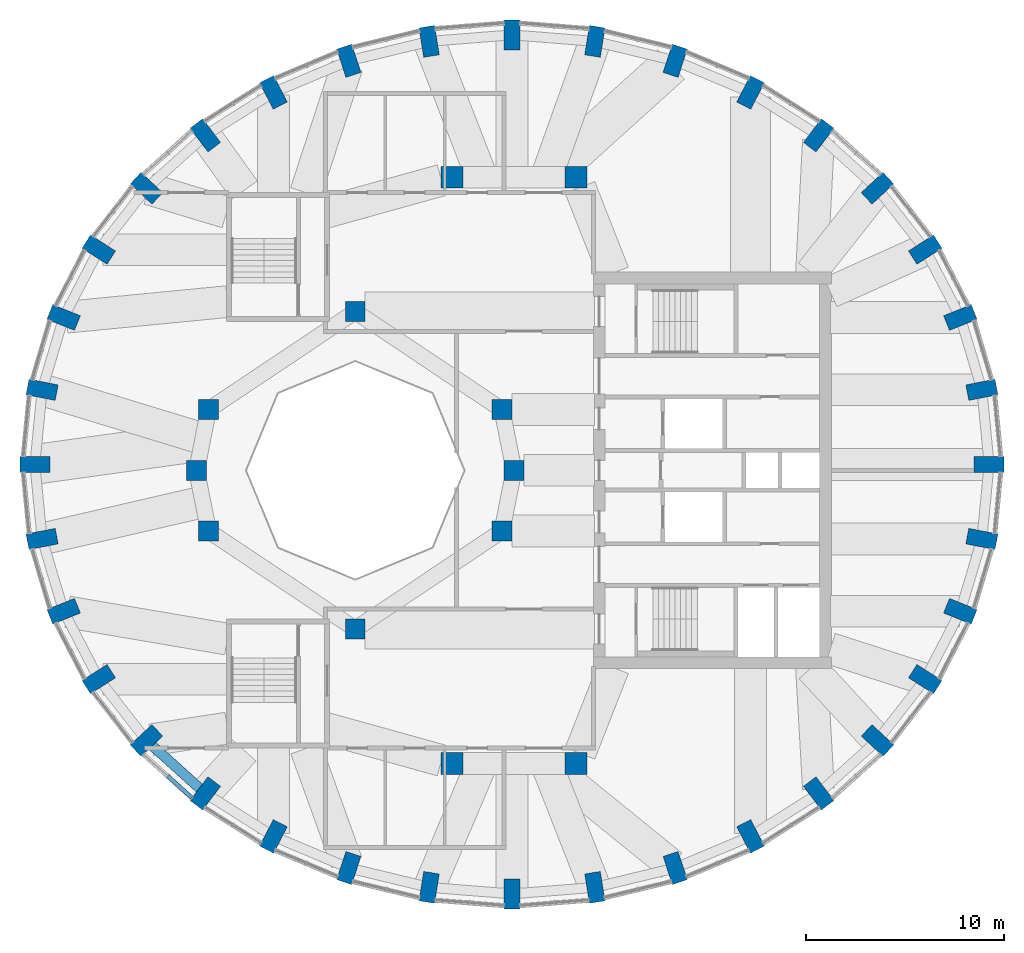
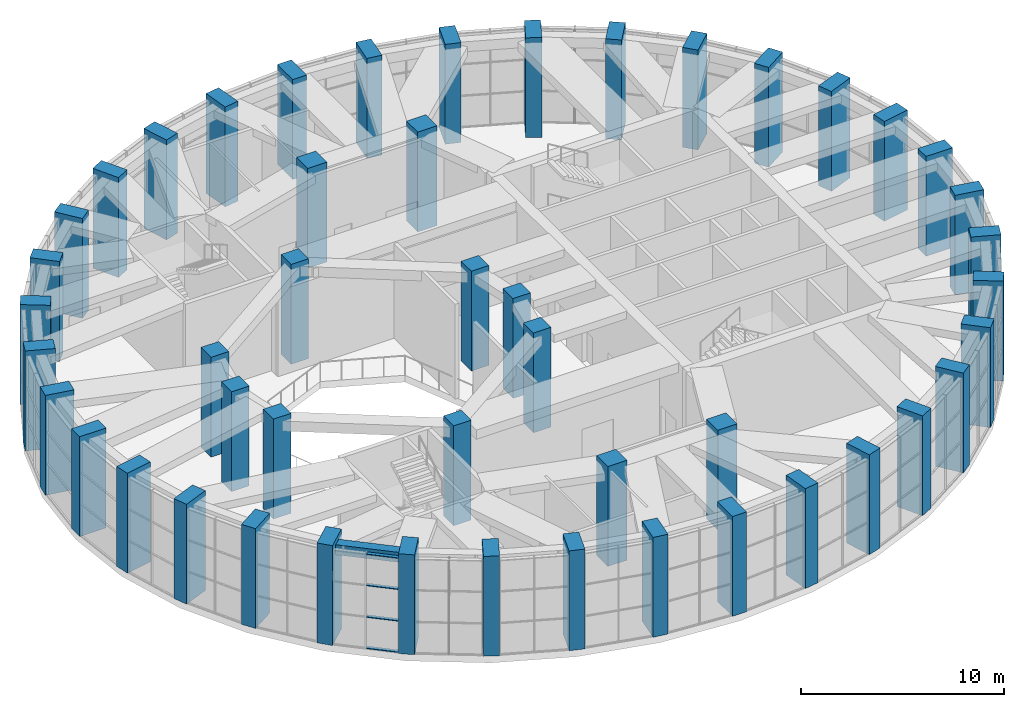
# One storey, part 1 of 20: 48 columns, 4 members, 1 beam, 1 element without a shape of its own.
"""IFC4 building model written with IfcOpenShell, lengths in metres."""

from ifc_helpers import new_model, si_unit, direction, frame, origin, origin_2d, place, context, subcontext, project, spatial, rectangle, extrude, material, material_profile, profile_set, type_object, element, aggregate, save


model = new_model("IFC4")

# Units and contexts
model_context = context("Model", 3, precision=1e-05, world=origin(), true_north=direction((0.0, 1.0)))
body_context = subcontext(model_context, "Body", "Model", "MODEL_VIEW")
ifc_project = project(units=[si_unit("LENGTHUNIT", "METRE"), si_unit("AREAUNIT", "SQUARE_METRE"), si_unit("VOLUMEUNIT", "CUBIC_METRE"), si_unit("PLANEANGLEUNIT", "RADIAN"), si_unit("MASSUNIT", "GRAM", prefix="KILO")], contexts=[model_context])

# Site, building, storey
site_placement = place(None, origin())
site = spatial("IfcSite", under=ifc_project, at=site_placement, CompositionType="ELEMENT")
building_placement = place(site_placement, origin())
building = spatial("IfcBuilding", under=site, at=building_placement, Name="Taillehof Tower", CompositionType="ELEMENT")
storey_placement = place(building_placement, frame((0.0, 0.0, 269.199951171875)))
storey = spatial("IfcBuildingStorey", under=building, at=storey_placement, Name="L76", CompositionType="ELEMENT", Elevation=269.199951171875)

# Columns
ifc_material_1 = material(Name="Concrete C50/60", Category="concrete")
ifc_material_profile_1 = material_profile(ifc_material_1, rectangle(XDim=1.0, YDim=1.0, at=origin_2d()), Name="RC 1000x1000")
ifc_profile_set_1 = profile_set([ifc_material_profile_1], Name="Concrete C50/60")
column_type_1 = type_object("IfcColumnType", Name="Atrium ring column C50/60 1000x1000", PredefinedType="COLUMN", material=ifc_profile_set_1)
for number, where, z_axis, x_axis, name in (
    (1, (0.0, 0.0, 0.0), (0.0, 0.0, 1.0), (1.0, 0.0, 0.0), "Column AC01"),
    (2, (-0.60888671875, 3.0615234375, 0.0), (0.0, 0.0, 1.0), (1.0, 0.0, 0.0), "Column AC02"),
    (3, (-8.0, 8.0, 0.0), (0.0, 0.0, 1.0), (1.0, 0.0, 0.0), "Column AC05"),
    (4, (-15.39111328125, 3.0615234375, 0.0), (0.0, 0.0, 1.0), (1.0, 0.0, 0.0), "Column AC08"),
    (5, (-16.0, 0.0, 0.0), (0.0, 0.0, 1.0), (1.0, 0.0, 0.0), "Column AC09"),
    (6, (-15.39111328125, -3.0615234375, 0.0), (0.0, 0.0, 1.0), (1.0, 0.0, 0.0), "Column AC10"),
    (7, (-8.0, -8.0, 0.0), (0.0, 0.0, 1.0), (1.0, 0.0, 0.0), "Column AC13"),
    (8, (-0.60888671875, -3.0615234375, 0.0), (0.0, 0.0, 1.0), (1.0, 0.0, 0.0), "Column AC16"),
):
    element("IfcColumn", number, at=place(storey_placement, frame(where, z_axis=z_axis, x_axis=x_axis)), inside=storey, type_object=column_type_1, Name=name, PredefinedType="COLUMN", context=body_context, shape_type="SweptSolid", body=[
        extrude(rectangle(XDim=1.0, YDim=1.0, at=origin_2d()), origin(), (0.0, 0.0, 1.0), 6.0),
    ])
ifc_material_2 = material(Name="Concrete C50/60", Category="concrete")
ifc_material_profile_2 = material_profile(ifc_material_2, rectangle(XDim=1.10009765625, YDim=1.10009765625, at=origin_2d()), Name="RC 1100x1100")
ifc_profile_set_2 = profile_set([ifc_material_profile_2], Name="Concrete C50/60")
column_type_2 = type_object("IfcColumnType", Name="Mid-ring column C50/60 1100x1100", PredefinedType="COLUMN", material=ifc_profile_set_2)
for number, where, z_axis, x_axis, name in (
    (9, (3.125732421875, 14.772216796875, 0.0), (0.0, 0.0, 1.0), (1.0, 0.0, 0.0), "Column MC05"),
    (10, (-3.125732421875, 14.772216796875, 0.0), (0.0, 0.0, 1.0), (1.0, 0.0, 0.0), "Column MC06"),
    (11, (-3.125732421875, -14.772216796875, 0.0), (0.0, 0.0, 1.0), (1.0, 0.0, 0.0), "Column MC14"),
    (12, (3.125732421875, -14.772216796875, 0.0), (0.0, 0.0, 1.0), (1.0, 0.0, 0.0), "Column MC15"),
):
    element("IfcColumn", number, at=place(storey_placement, frame(where, z_axis=z_axis, x_axis=x_axis)), inside=storey, type_object=column_type_2, Name=name, PredefinedType="COLUMN", context=body_context, shape_type="SweptSolid", body=[
        extrude(rectangle(XDim=1.10009765625, YDim=1.10009765625, at=origin_2d()), origin(), (0.0, 0.0, 1.0), 6.0),
    ])
ifc_material_3 = material(Name="Concrete C50/60", Category="concrete")
ifc_material_profile_3 = material_profile(ifc_material_3, rectangle(XDim=1.5, YDim=0.800048828125, at=origin_2d()), Name="RC 1500x800")
ifc_profile_set_3 = profile_set([ifc_material_profile_3], Name="Concrete C50/60")
column_type_3 = type_object("IfcColumnType", Name="Ring column C50/60 1500x800", PredefinedType="COLUMN", material=ifc_profile_set_3)
for number, where, z_axis, x_axis, name in (
    (13, (23.949951171875, 0.300048828125, 0.0), (0.0, 0.0, 1.0), (1.0, 0.0, 0.0), "Ring column RC01"),
    (14, (23.584716796875, 4.0595703125, 0.0), (0.0, 0.0, 1.0), (0.981472639166, 0.191602344891, 0.0), "Ring column RC02"),
    (15, (22.49951171875, 7.704833984375, 0.0), (0.0, 0.0, 1.0), (0.927524694272, 0.373761878092, 0.0), "Ring column RC03"),
    (16, (20.72802734375, 11.125, 0.0), (0.0, 0.0, 1.0), (0.842573772535, 0.538580948267, 0.0), "Ring column RC04"),
    (17, (18.323486328125, 14.21630859375, 0.0), (0.0, 0.0, 1.0), (0.73263579998, 0.680620881686, 0.0), "Ring column RC05"),
    (18, (15.359130859375, 16.884765625, 0.0), (0.0, 0.0, 1.0), (0.604020073066, 0.796969103123, 0.0), "Ring column RC06"),
    (19, (11.925048828125, 19.049560546875, 0.0), (0.0, 0.0, 1.0), (0.462383690865, 0.886679943622, 0.0), "Ring column RC07"),
    (20, (8.12548828125, 20.644287109375, 0.0), (0.0, 0.0, 1.0), (0.312304079287, 0.949982190391, 0.0), "Ring column RC08"),
    (21, (4.076171875, 21.62109375, 0.0), (0.0, 0.0, 1.0), (0.1572808136, 0.987553920388, 0.0), "Ring column RC09"),
    (22, (-0.10009765625, 21.949951171875, 0.0), (0.0, 0.0, 1.0), (0.0, 1.0, 0.0), "Ring column RC10"),
    (23, (-4.276123046875, 21.62109375, 0.0), (0.0, 0.0, 1.0), (-0.1572808136, 0.987553920388, 0.0), "Ring column RC11"),
    (24, (-8.32568359375, 20.644287109375, 0.0), (0.0, 0.0, 1.0), (-0.312304079287, 0.949982190391, 0.0), "Ring column RC12"),
    (25, (-12.125, 19.049560546875, 0.0), (0.0, 0.0, 1.0), (-0.462383690865, 0.886679943622, 0.0), "Ring column RC13"),
    (26, (-15.55908203125, 16.884765625, 0.0), (0.0, 0.0, 1.0), (-0.604020073066, 0.796969103123, 0.0), "Ring column RC14"),
    (27, (-18.5234375, 14.21630859375, 0.0), (0.0, 0.0, 1.0), (-0.73263579998, 0.680620881686, 0.0), "Ring column RC15"),
    (28, (-20.927978515625, 11.125, 0.0), (0.0, 0.0, 1.0), (-0.842573772535, 0.538580948267, 0.0), "Ring column RC16"),
    (29, (-22.69970703125, 7.704833984375, 0.0), (0.0, 0.0, 1.0), (-0.927524694272, 0.373761878092, 0.0), "Ring column RC17"),
    (30, (-23.78466796875, 4.0595703125, 0.0), (0.0, 0.0, 1.0), (-0.981472639166, 0.191602344891, 0.0), "Ring column RC18"),
    (31, (-24.14990234375, 0.300048828125, 0.0), (0.0, 0.0, 1.0), (-1.0, 0.0, 0.0), "Ring column RC19"),
    (32, (-23.78466796875, -3.45947265625, 0.0), (0.0, 0.0, 1.0), (-0.981472639166, -0.191602344891, 0.0), "Ring column RC20"),
    (33, (-22.69970703125, -7.104736328125, 0.0), (0.0, 0.0, 1.0), (-0.927524694272, -0.373761878092, 0.0), "Ring column RC21"),
    (34, (-20.927978515625, -10.52490234375, 0.0), (0.0, 0.0, 1.0), (-0.842573772535, -0.538580948267, 0.0), "Ring column RC22"),
    (35, (-18.5234375, -13.616455078125, 0.0), (0.0, 0.0, 1.0), (-0.73263579998, -0.680620881686, 0.0), "Ring column RC23"),
    (36, (-15.55908203125, -16.284912109375, 0.0), (0.0, 0.0, 1.0), (-0.604020073066, -0.796969103123, 0.0), "Ring column RC24"),
    (37, (-12.125, -18.449462890625, 0.0), (0.0, 0.0, 1.0), (-0.462383690865, -0.886679943622, 0.0), "Ring column RC25"),
    (38, (-8.32568359375, -20.04443359375, 0.0), (0.0, 0.0, 1.0), (-0.312304079287, -0.949982190391, 0.0), "Ring column RC26"),
    (39, (-4.276123046875, -21.02099609375, 0.0), (0.0, 0.0, 1.0), (-0.1572808136, -0.987553920388, 0.0), "Ring column RC27"),
    (40, (-0.10009765625, -21.35009765625, 0.0), (0.0, 0.0, 1.0), (0.0, -1.0, 0.0), "Ring column RC28"),
    (41, (4.076171875, -21.02099609375, 0.0), (0.0, 0.0, 1.0), (0.1572808136, -0.987553920388, 0.0), "Ring column RC29"),
    (42, (8.12548828125, -20.04443359375, 0.0), (0.0, 0.0, 1.0), (0.312304079287, -0.949982190391, 0.0), "Ring column RC30"),
    (43, (11.925048828125, -18.449462890625, 0.0), (0.0, 0.0, 1.0), (0.462383690865, -0.886679943622, 0.0), "Ring column RC31"),
    (44, (15.359130859375, -16.284912109375, 0.0), (0.0, 0.0, 1.0), (0.604020073066, -0.796969103123, 0.0), "Ring column RC32"),
    (45, (18.323486328125, -13.616455078125, 0.0), (0.0, 0.0, 1.0), (0.73263579998, -0.680620881686, 0.0), "Ring column RC33"),
    (46, (20.72802734375, -10.52490234375, 0.0), (0.0, 0.0, 1.0), (0.842573772535, -0.538580948267, 0.0), "Ring column RC34"),
    (47, (22.49951171875, -7.104736328125, 0.0), (0.0, 0.0, 1.0), (0.927524694272, -0.373761878092, 0.0), "Ring column RC35"),
    (48, (23.584716796875, -3.45947265625, 0.0), (0.0, 0.0, 1.0), (0.981472639166, -0.191602344891, 0.0), "Ring column RC36"),
):
    element("IfcColumn", number, at=place(storey_placement, frame(where, z_axis=z_axis, x_axis=x_axis)), inside=storey, type_object=column_type_3, Name=name, PredefinedType="COLUMN", context=body_context, shape_type="SweptSolid", body=[
        extrude(rectangle(XDim=1.5, YDim=0.800048828125, at=origin_2d()), origin(), (0.0, 0.0, 1.0), 6.0),
    ])

# Curtain wall, members
ifc_material_4 = material(Name="Aluminium curtain wall with Clear toughened laminated glass", Category="aluminium")
curtain_wall_type = type_object("IfcCurtainWallType", Name="Observation deck curtain wall", PredefinedType="USERDEFINED", material=ifc_material_4)
curtain_wall_placement = place(storey_placement, origin())
curtain_wall = element("IfcCurtainWall", 49, at=curtain_wall_placement, inside=storey, type_object=curtain_wall_type, Name="Observation deck L76 bay 23", ObjectType="WINDOW WALL", PredefinedType="USERDEFINED")
ifc_material_5 = material(Name="Aluminium transom", Category="aluminium")
ifc_material_profile_4 = material_profile(ifc_material_5, rectangle(XDim=0.199951171875, YDim=0.0400390625, at=origin_2d()), Name="AL 200x40")
ifc_profile_set_4 = profile_set([ifc_material_profile_4], Name="Aluminium transom")
member_type = type_object("IfcMemberType", Name="Observation deck transom 200x40", PredefinedType="USERDEFINED", material=ifc_profile_set_4)
member_1_placement = place(storey_placement, frame((-17.4404296875, -15.421630859375, 0.02001953125), z_axis=(0.7432110271, -0.669057074693, 0.0), x_axis=(0.669057074693, 0.7432110271, 0.0)))
member_1 = element("IfcMember", 50, at=member_1_placement, type_object=member_type, Name="CT6E23 transom 2.1", ObjectType="TRANSOM", PredefinedType="USERDEFINED", context=body_context, shape_type="SweptSolid", body=[
    extrude(rectangle(XDim=0.199951171875, YDim=0.0400390625, at=origin_2d()), origin(), (0.0, 0.0, 1.0), 1.606689453125),
])
member_2_placement = place(storey_placement, frame((-17.4404296875, -15.421630859375, 1.900146484375), z_axis=(0.7432110271, -0.669057074693, 0.0), x_axis=(0.669057074693, 0.7432110271, 0.0)))
member_2 = element("IfcMember", 51, at=member_2_placement, type_object=member_type, Name="CT6E23 transom 2.2", ObjectType="TRANSOM", PredefinedType="USERDEFINED", context=body_context, shape_type="SweptSolid", body=[
    extrude(rectangle(XDim=0.199951171875, YDim=0.0400390625, at=origin_2d()), origin(), (0.0, 0.0, 1.0), 1.606689453125),
])
member_3_placement = place(storey_placement, frame((-17.4404296875, -15.421630859375, 3.800048828125), z_axis=(0.7432110271, -0.669057074693, 0.0), x_axis=(0.669057074693, 0.7432110271, 0.0)))
member_3 = element("IfcMember", 52, at=member_3_placement, type_object=member_type, Name="CT6E23 transom 2.3", ObjectType="TRANSOM", PredefinedType="USERDEFINED", context=body_context, shape_type="SweptSolid", body=[
    extrude(rectangle(XDim=0.199951171875, YDim=0.0400390625, at=origin_2d()), origin(), (0.0, 0.0, 1.0), 1.606689453125),
])
member_4_placement = place(storey_placement, frame((-17.4404296875, -15.421630859375, 5.679931640625), z_axis=(0.7432110271, -0.669057074693, 0.0), x_axis=(0.669057074693, 0.7432110271, 0.0)))
member_4 = element("IfcMember", 53, at=member_4_placement, type_object=member_type, Name="CT6E23 transom 2.4", ObjectType="TRANSOM", PredefinedType="USERDEFINED", context=body_context, shape_type="SweptSolid", body=[
    extrude(rectangle(XDim=0.199951171875, YDim=0.0400390625, at=origin_2d()), origin(), (0.0, 0.0, 1.0), 1.606689453125),
])
aggregate(curtain_wall, [member_1, member_2, member_3, member_4])

# Beam
ifc_material_6 = material(Name="Concrete C50/60", Category="concrete")
ifc_material_profile_5 = material_profile(ifc_material_6, rectangle(XDim=0.5, YDim=0.60009765625, at=origin_2d()), Name="RC 500x600")
ifc_profile_set_5 = profile_set([ifc_material_profile_5], Name="Concrete C50/60")
beam_type = type_object("IfcBeamType", Name="Spandrel beam C50/60 500x600", PredefinedType="SPANDREL", material=ifc_profile_set_5)
beam_placement = place(storey_placement, frame((-18.5234375, -13.616455078125, 5.400146484375), z_axis=(0.743227182134, -0.669039128704, 0.0), x_axis=(0.669039128704, 0.743227182134, 0.0)))
element("IfcBeam", 54, at=beam_placement, inside=storey, type_object=beam_type, Name="Spandrel beam SB23", PredefinedType="SPANDREL", context=body_context, shape_type="SweptSolid", body=[
    extrude(rectangle(XDim=0.5, YDim=0.60009765625, at=origin_2d()), origin(), (0.0, 0.0, 1.0), 3.988525390625),
])

save(model, "model.ifc")
